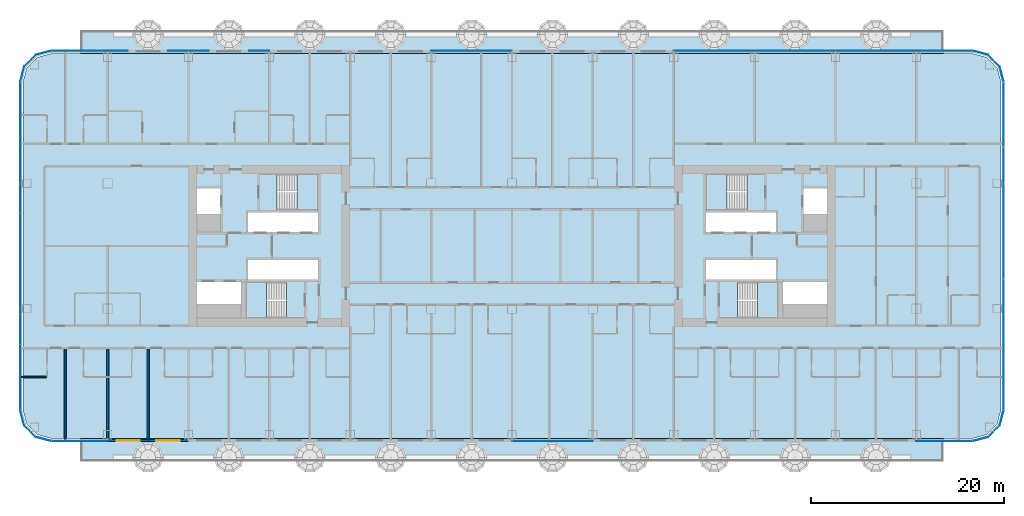
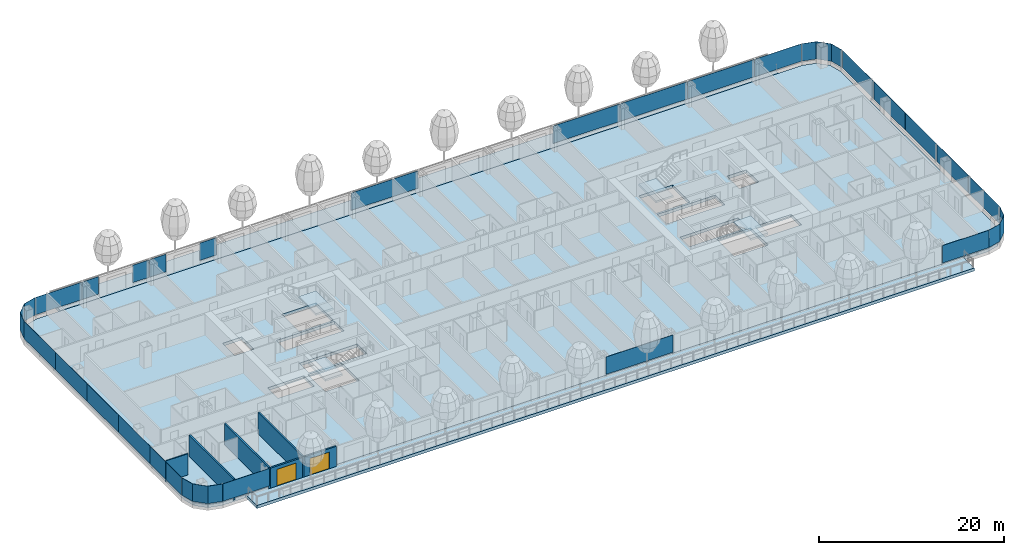
# One storey, part 12 of 37: 27 plates, 7 slabs, 6 walls, 2 doors, 2 openings, 12 elements without a shape of their own.
"""IFC4 building model written with IfcOpenShell, lengths in metres."""

from ifc_helpers import new_model, si_unit, direction, frame, frame_2d, origin, origin_2d, place, context, subcontext, project, spatial, polyline, rectangle, outline, extrude, material, layer, layer_set, type_object, element, fill, aggregate, save


model = new_model("IFC4")

# Units and contexts
model_context = context("Model", 3, precision=1e-05, world=origin(), true_north=direction((0.0, 1.0)))
body_context = subcontext(model_context, "Body", "Model", "MODEL_VIEW")
ifc_project = project(units=[si_unit("LENGTHUNIT", "METRE"), si_unit("AREAUNIT", "SQUARE_METRE"), si_unit("VOLUMEUNIT", "CUBIC_METRE"), si_unit("PLANEANGLEUNIT", "RADIAN"), si_unit("MASSUNIT", "GRAM", prefix="KILO")], contexts=[model_context])

# Site, building, storey
site_placement = place(None, origin())
site = spatial("IfcSite", under=ifc_project, at=site_placement, CompositionType="ELEMENT")
building_placement = place(site_placement, origin())
building = spatial("IfcBuilding", under=site, at=building_placement, Name="Hakoniwa Tower and Hamabe Station Hall", CompositionType="ELEMENT")
storey_placement = place(building_placement, frame((0.0, 0.0, 39.0)))
storey = spatial("IfcBuildingStorey", under=building, at=storey_placement, Name="L10", CompositionType="ELEMENT", Elevation=39.0)

# Slabs
ifc_material_1 = material(Name="Concrete C42", Category="concrete")
ifc_layer_1 = layer(ifc_material_1, 0.25)
ifc_layer_set_1 = layer_set([ifc_layer_1], Name="BALCONY SLAB 250")
slab_type_1 = type_object("IfcSlabType", Name="BALCONY SLAB 250", PredefinedType="FLOOR", material=ifc_layer_set_1)
slab_1_placement = place(storey_placement, frame((0.0, 0.0, -0.39990234375)))
element("IfcSlab", 1, at=slab_1_placement, inside=storey, type_object=slab_type_1, Name="Balcony slab L10 BAL-L10-N", PredefinedType="FLOOR", context=body_context, shape_type="SweptSolid", body=[
    extrude(outline(polyline([(-44.800048828125, 20.0), (44.800048828125, 20.0), (44.800048828125, 22.39990234375), (-44.800048828125, 22.39990234375), (-44.800048828125, 20.0)])), origin(), (0.0, 0.0, 1.0), 0.39990234375),
])
slab_2_placement = place(storey_placement, frame((0.0, 0.0, -0.39990234375)))
element("IfcSlab", 2, at=slab_2_placement, inside=storey, type_object=slab_type_1, Name="Balcony slab L10 BAL-L10-S", PredefinedType="FLOOR", context=body_context, shape_type="SweptSolid", body=[
    extrude(outline(polyline([(-44.800048828125, -22.39990234375), (44.800048828125, -22.39990234375), (44.800048828125, -20.0), (-44.800048828125, -20.0), (-44.800048828125, -22.39990234375)])), origin(), (0.0, 0.0, 1.0), 0.39990234375),
])

# Stair, slab
ifc_material_2 = material(Name="Concrete C40", Category="concrete")
stair_type = type_object("IfcStairType", Name="ESCAPE STAIR 1800", PredefinedType="HALF_TURN_STAIR", material=ifc_material_2)
stair_1_placement = place(storey_placement, origin())
stair_1 = element("IfcStair", 3, at=stair_1_placement, inside=storey, type_object=stair_type, Name="Escape stair ST-1 L10", PredefinedType="HALF_TURN_STAIR")
ifc_material_3 = material(Name="Concrete C40", Category="concrete")
ifc_layer_2 = layer(ifc_material_3, 0.25)
ifc_layer_set_2 = layer_set([ifc_layer_2], Name="CORE STAIR LANDING 250")
slab_type_2 = type_object("IfcSlabType", Name="CORE STAIR LANDING 250", PredefinedType="LANDING", material=ifc_layer_set_2)
slab_3_placement = place(storey_placement, frame((0.0, 0.0, 1.35009765625)))
slab_3 = element("IfcSlab", 4, at=slab_3_placement, type_object=slab_type_2, Name="ST-1 landing 1", PredefinedType="LANDING", context=body_context, shape_type="SweptSolid", body=[
    extrude(outline(polyline([(-22.320068359375, 3.75), (-20.14990234375, 3.75), (-20.14990234375, 7.5), (-22.320068359375, 7.5), (-22.320068359375, 3.75)])), origin(), (0.0, 0.0, 1.0), 0.25),
])
aggregate(stair_1, [slab_3])

stair_2_placement = place(storey_placement, origin())
stair_2 = element("IfcStair", 5, at=stair_2_placement, inside=storey, type_object=stair_type, Name="Escape stair ST-2 L10", PredefinedType="HALF_TURN_STAIR")
slab_4_placement = place(storey_placement, frame((0.0, 0.0, 1.35009765625)))
slab_4 = element("IfcSlab", 6, at=slab_4_placement, type_object=slab_type_2, Name="ST-2 landing 1", PredefinedType="LANDING", context=body_context, shape_type="SweptSolid", body=[
    extrude(outline(polyline([(-25.47998046875, -7.5), (-27.64990234375, -7.5), (-27.64990234375, -3.75), (-25.47998046875, -3.75), (-25.47998046875, -7.5)])), origin(), (0.0, 0.0, 1.0), 0.25),
])
aggregate(stair_2, [slab_4])

stair_3_placement = place(storey_placement, origin())
stair_3 = element("IfcStair", 7, at=stair_3_placement, inside=storey, type_object=stair_type, Name="Escape stair ST-3 L10", PredefinedType="HALF_TURN_STAIR")
slab_5_placement = place(storey_placement, frame((0.0, 0.0, 1.35009765625)))
slab_5 = element("IfcSlab", 8, at=slab_5_placement, type_object=slab_type_2, Name="ST-3 landing 1", PredefinedType="LANDING", context=body_context, shape_type="SweptSolid", body=[
    extrude(outline(polyline([(22.320068359375, 3.75), (20.14990234375, 3.75), (20.14990234375, 7.5), (22.320068359375, 7.5), (22.320068359375, 3.75)])), origin(), (0.0, 0.0, 1.0), 0.25),
])
aggregate(stair_3, [slab_5])

stair_4_placement = place(storey_placement, origin())
stair_4 = element("IfcStair", 9, at=stair_4_placement, inside=storey, type_object=stair_type, Name="Escape stair ST-4 L10", PredefinedType="HALF_TURN_STAIR")
slab_6_placement = place(storey_placement, frame((0.0, 0.0, 1.35009765625)))
slab_6 = element("IfcSlab", 10, at=slab_6_placement, type_object=slab_type_2, Name="ST-4 landing 1", PredefinedType="LANDING", context=body_context, shape_type="SweptSolid", body=[
    extrude(outline(polyline([(25.47998046875, -7.5), (27.64990234375, -7.5), (27.64990234375, -3.75), (25.47998046875, -3.75), (25.47998046875, -7.5)])), origin(), (0.0, 0.0, 1.0), 0.25),
])
aggregate(stair_4, [slab_6])

# Curtain wall, plates
ifc_material_4 = material(Name="Dark low-e laminated glass", Category="glass")
ifc_layer_3 = layer(ifc_material_4, 0.199951171875)
ifc_layer_set_3 = layer_set([ifc_layer_3], Name="CW-1 UNITISED GUEST")
curtain_wall_type = type_object("IfcCurtainWallType", Name="CW-1 UNITISED GUEST", PredefinedType="NOTDEFINED", material=ifc_layer_set_3)
curtain_wall_1_placement = place(storey_placement, origin())
curtain_wall_1 = element("IfcCurtainWall", 11, at=curtain_wall_1_placement, inside=storey, type_object=curtain_wall_type, Name="CW-1 curtain wall", PredefinedType="NOTDEFINED")
ifc_material_5 = material(Name="Dark low-e laminated glass", Category="glass")
ifc_layer_4 = layer(ifc_material_5, 0.028076171875)
ifc_layer_set_4 = layer_set([ifc_layer_4], Name="CW-1 GLASS UNIT")
plate_type = type_object("IfcPlateType", Name="CW-1 GLASS UNIT", PredefinedType="CURTAIN_PANEL", material=ifc_layer_set_4)
plate_1_placement = place(storey_placement, frame((51.0859375, -13.631591796875, 0.35009765625), z_axis=(0.0, 0.0, 1.0), x_axis=(0.0, 1.0, 0.0)))
plate_1 = element("IfcPlate", 12, at=plate_1_placement, type_object=plate_type, Name="CW-1 glass unit", PredefinedType="CURTAIN_PANEL", context=body_context, shape_type="SweptSolid", body=[
    extrude(rectangle(XDim=6.7958984375, YDim=0.028076171875, at=origin_2d()), origin(), (0.0, 0.0, 1.0), 2.300048828125),
])
plate_2_placement = place(storey_placement, frame((51.0859375, -6.81591796875, 0.35009765625), z_axis=(0.0, 0.0, 1.0), x_axis=(0.0, 1.0, 0.0)))
plate_2 = element("IfcPlate", 13, at=plate_2_placement, type_object=plate_type, Name="CW-1 glass unit", PredefinedType="CURTAIN_PANEL", context=body_context, shape_type="SweptSolid", body=[
    extrude(rectangle(XDim=6.7958984375, YDim=0.028076171875, at=origin_2d()), origin(), (0.0, 0.0, 1.0), 2.300048828125),
])
plate_3_placement = place(storey_placement, frame((51.0859375, 0.0, 0.35009765625), z_axis=(0.0, 0.0, 1.0), x_axis=(0.0, 1.0, 0.0)))
plate_3 = element("IfcPlate", 14, at=plate_3_placement, type_object=plate_type, Name="CW-1 glass unit", PredefinedType="CURTAIN_PANEL", context=body_context, shape_type="SweptSolid", body=[
    extrude(rectangle(XDim=6.7958984375, YDim=0.028076171875, at=origin_2d()), origin(), (0.0, 0.0, 1.0), 2.300048828125),
])
plate_4_placement = place(storey_placement, frame((51.0859375, 6.81591796875, 0.35009765625), z_axis=(0.0, 0.0, 1.0), x_axis=(0.0, 1.0, 0.0)))
plate_4 = element("IfcPlate", 15, at=plate_4_placement, type_object=plate_type, Name="CW-1 glass unit", PredefinedType="CURTAIN_PANEL", context=body_context, shape_type="SweptSolid", body=[
    extrude(rectangle(XDim=6.7958984375, YDim=0.028076171875, at=origin_2d()), origin(), (0.0, 0.0, 1.0), 2.300048828125),
])
plate_5_placement = place(storey_placement, frame((51.0859375, 13.631591796875, 0.35009765625), z_axis=(0.0, 0.0, 1.0), x_axis=(0.0, 1.0, 0.0)))
plate_5 = element("IfcPlate", 16, at=plate_5_placement, type_object=plate_type, Name="CW-1 glass unit", PredefinedType="CURTAIN_PANEL", context=body_context, shape_type="SweptSolid", body=[
    extrude(rectangle(XDim=6.7958984375, YDim=0.028076171875, at=origin_2d()), origin(), (0.0, 0.0, 1.0), 2.300048828125),
])
aggregate(curtain_wall_1, [plate_1, plate_2, plate_3, plate_4, plate_5])

# Curtain wall, plate
curtain_wall_2_placement = place(storey_placement, origin())
curtain_wall_2 = element("IfcCurtainWall", 17, at=curtain_wall_2_placement, inside=storey, type_object=curtain_wall_type, Name="CW-1 curtain wall", PredefinedType="NOTDEFINED")
plate_6_placement = place(storey_placement, frame((0.0, 0.0, 0.35009765625)))
plate_6 = element("IfcPlate", 18, at=plate_6_placement, type_object=plate_type, Name="CW-1 curved corner unit", PredefinedType="CURTAIN_PANEL", context=body_context, shape_type="SweptSolid", body=[
    extrude(outline(polyline([(51.089599609375, 17.078125), (50.6669921875, 18.6552734375), (49.455322265625, 19.866943359375), (47.878173828125, 20.28955078125), (47.870849609375, 20.2626953125), (49.44091796875, 19.842041015625), (50.641845703125, 18.640869140625), (51.0625, 17.07080078125), (51.089599609375, 17.078125)])), origin(), (0.0, 0.0, 1.0), 2.2998046875),
])
aggregate(curtain_wall_2, [plate_6])

# Curtain wall, plates
curtain_wall_3_placement = place(storey_placement, origin())
curtain_wall_3 = element("IfcCurtainWall", 19, at=curtain_wall_3_placement, inside=storey, type_object=curtain_wall_type, Name="CW-1 curtain wall", PredefinedType="NOTDEFINED")
plate_7_placement = place(storey_placement, frame((44.919677734375, 20.285888671875, 0.35009765625), z_axis=(0.0, 0.0, 1.0), x_axis=(-1.0, 0.0, 0.0)))
plate_7 = element("IfcPlate", 20, at=plate_7_placement, type_object=plate_type, Name="CW-1 glass unit", PredefinedType="CURTAIN_PANEL", context=body_context, shape_type="SweptSolid", body=[
    extrude(rectangle(XDim=5.819580078125, YDim=0.028076171875, at=origin_2d()), origin(), (0.0, 0.0, 1.0), 2.300048828125),
])
plate_8_placement = place(storey_placement, frame((37.800048828125, 20.285888671875, 0.35009765625), z_axis=(0.0, 0.0, 1.0), x_axis=(-1.0, 0.0, 0.0)))
plate_8 = element("IfcPlate", 21, at=plate_8_placement, type_object=plate_type, Name="CW-1 glass unit", PredefinedType="CURTAIN_PANEL", context=body_context, shape_type="SweptSolid", body=[
    extrude(rectangle(XDim=8.3798828125, YDim=0.028076171875, at=origin_2d()), origin(), (0.0, 0.0, 1.0), 2.300048828125),
])
plate_9_placement = place(storey_placement, frame((29.39990234375, 20.285888671875, 0.35009765625), z_axis=(0.0, 0.0, 1.0), x_axis=(-1.0, 0.0, 0.0)))
plate_9 = element("IfcPlate", 22, at=plate_9_placement, type_object=plate_type, Name="CW-1 glass unit", PredefinedType="CURTAIN_PANEL", context=body_context, shape_type="SweptSolid", body=[
    extrude(rectangle(XDim=8.3798828125, YDim=0.028076171875, at=origin_2d()), origin(), (0.0, 0.0, 1.0), 2.300048828125),
])
plate_10_placement = place(storey_placement, frame((21.0, 20.285888671875, 0.35009765625), z_axis=(0.0, 0.0, 1.0), x_axis=(-1.0, 0.0, 0.0)))
plate_10 = element("IfcPlate", 23, at=plate_10_placement, type_object=plate_type, Name="CW-1 glass unit", PredefinedType="CURTAIN_PANEL", context=body_context, shape_type="SweptSolid", body=[
    extrude(rectangle(XDim=8.3798828125, YDim=0.028076171875, at=origin_2d()), origin(), (0.0, 0.0, 1.0), 2.300048828125),
])
plate_11_placement = place(storey_placement, frame((-4.199951171875, 20.285888671875, 0.35009765625), z_axis=(0.0, 0.0, 1.0), x_axis=(-1.0, 0.0, 0.0)))
plate_11 = element("IfcPlate", 24, at=plate_11_placement, type_object=plate_type, Name="CW-1 glass unit", PredefinedType="CURTAIN_PANEL", context=body_context, shape_type="SweptSolid", body=[
    extrude(rectangle(XDim=8.3798828125, YDim=0.028076171875, at=origin_2d()), origin(), (0.0, 0.0, 1.0), 2.300048828125),
])
plate_12_placement = place(storey_placement, frame((-26.25, 20.285888671875, 0.35009765625), z_axis=(0.0, 0.0, 1.0), x_axis=(-1.0, 0.0, 0.0)))
plate_12 = element("IfcPlate", 25, at=plate_12_placement, type_object=plate_type, Name="CW-1 glass unit", PredefinedType="CURTAIN_PANEL", context=body_context, shape_type="SweptSolid", body=[
    extrude(rectangle(XDim=2.080078125, YDim=0.028076171875, at=origin_2d()), origin(), (0.0, 0.0, 1.0), 2.300048828125),
])
plate_13_placement = place(storey_placement, frame((-32.550048828125, 20.285888671875, 0.35009765625), z_axis=(0.0, 0.0, 1.0), x_axis=(-1.0, 0.0, 0.0)))
plate_13 = element("IfcPlate", 26, at=plate_13_placement, type_object=plate_type, Name="CW-1 glass unit", PredefinedType="CURTAIN_PANEL", context=body_context, shape_type="SweptSolid", body=[
    extrude(rectangle(XDim=2.080078125, YDim=0.028076171875, at=origin_2d()), origin(), (0.0, 0.0, 1.0), 2.300048828125),
])
plate_14_placement = place(storey_placement, frame((-34.64990234375, 20.285888671875, 0.35009765625), z_axis=(0.0, 0.0, 1.0), x_axis=(-1.0, 0.0, 0.0)))
plate_14 = element("IfcPlate", 27, at=plate_14_placement, type_object=plate_type, Name="CW-1 glass unit", PredefinedType="CURTAIN_PANEL", context=body_context, shape_type="SweptSolid", body=[
    extrude(rectangle(XDim=2.080078125, YDim=0.028076171875, at=origin_2d()), origin(), (0.0, 0.0, 1.0), 2.300048828125),
])
plate_15_placement = place(storey_placement, frame((-40.949951171875, 20.285888671875, 0.35009765625), z_axis=(0.0, 0.0, 1.0), x_axis=(-1.0, 0.0, 0.0)))
plate_15 = element("IfcPlate", 28, at=plate_15_placement, type_object=plate_type, Name="CW-1 glass unit", PredefinedType="CURTAIN_PANEL", context=body_context, shape_type="SweptSolid", body=[
    extrude(rectangle(XDim=2.080078125, YDim=0.028076171875, at=origin_2d()), origin(), (0.0, 0.0, 1.0), 2.300048828125),
])
plate_16_placement = place(storey_placement, frame((-44.919677734375, 20.285888671875, 0.35009765625), z_axis=(0.0, 0.0, 1.0), x_axis=(-1.0, 0.0, 0.0)))
plate_16 = element("IfcPlate", 29, at=plate_16_placement, type_object=plate_type, Name="CW-1 glass unit", PredefinedType="CURTAIN_PANEL", context=body_context, shape_type="SweptSolid", body=[
    extrude(rectangle(XDim=5.819580078125, YDim=0.028076171875, at=origin_2d()), origin(), (0.0, 0.0, 1.0), 2.300048828125),
])
aggregate(curtain_wall_3, [plate_7, plate_8, plate_9, plate_10, plate_11, plate_12, plate_13, plate_14, plate_15, plate_16])

# Curtain wall, plate
curtain_wall_4_placement = place(storey_placement, origin())
curtain_wall_4 = element("IfcCurtainWall", 30, at=curtain_wall_4_placement, inside=storey, type_object=curtain_wall_type, Name="CW-1 curtain wall", PredefinedType="NOTDEFINED")
plate_17_placement = place(storey_placement, frame((0.0, 0.0, 0.35009765625)))
plate_17 = element("IfcPlate", 31, at=plate_17_placement, type_object=plate_type, Name="CW-1 curved corner unit", PredefinedType="CURTAIN_PANEL", context=body_context, shape_type="SweptSolid", body=[
    extrude(outline(polyline([(-47.878173828125, 20.28955078125), (-49.455322265625, 19.866943359375), (-50.6669921875, 18.6552734375), (-51.089599609375, 17.078125), (-51.0625, 17.07080078125), (-50.641845703125, 18.640869140625), (-49.44091796875, 19.842041015625), (-47.870849609375, 20.2626953125), (-47.878173828125, 20.28955078125)])), origin(), (0.0, 0.0, 1.0), 2.2998046875),
])
aggregate(curtain_wall_4, [plate_17])

# Curtain wall, plates
curtain_wall_5_placement = place(storey_placement, origin())
curtain_wall_5 = element("IfcCurtainWall", 32, at=curtain_wall_5_placement, inside=storey, type_object=curtain_wall_type, Name="CW-1 curtain wall", PredefinedType="NOTDEFINED")
plate_18_placement = place(storey_placement, frame((-51.0859375, 13.631591796875, 0.35009765625), z_axis=(0.0, 0.0, 1.0), x_axis=(0.0, -1.0, 0.0)))
plate_18 = element("IfcPlate", 33, at=plate_18_placement, type_object=plate_type, Name="CW-1 glass unit", PredefinedType="CURTAIN_PANEL", context=body_context, shape_type="SweptSolid", body=[
    extrude(rectangle(XDim=6.7958984375, YDim=0.028076171875, at=origin_2d()), origin(), (0.0, 0.0, 1.0), 2.300048828125),
])
plate_19_placement = place(storey_placement, frame((-51.0859375, 6.81591796875, 0.35009765625), z_axis=(0.0, 0.0, 1.0), x_axis=(0.0, -1.0, 0.0)))
plate_19 = element("IfcPlate", 34, at=plate_19_placement, type_object=plate_type, Name="CW-1 glass unit", PredefinedType="CURTAIN_PANEL", context=body_context, shape_type="SweptSolid", body=[
    extrude(rectangle(XDim=6.7958984375, YDim=0.028076171875, at=origin_2d()), origin(), (0.0, 0.0, 1.0), 2.300048828125),
])
plate_20_placement = place(storey_placement, frame((-51.0859375, 0.0, 0.35009765625), z_axis=(0.0, 0.0, 1.0), x_axis=(0.0, -1.0, 0.0)))
plate_20 = element("IfcPlate", 35, at=plate_20_placement, type_object=plate_type, Name="CW-1 glass unit", PredefinedType="CURTAIN_PANEL", context=body_context, shape_type="SweptSolid", body=[
    extrude(rectangle(XDim=6.7958984375, YDim=0.028076171875, at=origin_2d()), origin(), (0.0, 0.0, 1.0), 2.300048828125),
])
plate_21_placement = place(storey_placement, frame((-51.0859375, -6.81591796875, 0.35009765625), z_axis=(0.0, 0.0, 1.0), x_axis=(0.0, -1.0, 0.0)))
plate_21 = element("IfcPlate", 36, at=plate_21_placement, type_object=plate_type, Name="CW-1 glass unit", PredefinedType="CURTAIN_PANEL", context=body_context, shape_type="SweptSolid", body=[
    extrude(rectangle(XDim=6.7958984375, YDim=0.028076171875, at=origin_2d()), origin(), (0.0, 0.0, 1.0), 2.300048828125),
])
plate_22_placement = place(storey_placement, frame((-51.0859375, -13.631591796875, 0.35009765625), z_axis=(0.0, 0.0, 1.0), x_axis=(0.0, -1.0, 0.0)))
plate_22 = element("IfcPlate", 37, at=plate_22_placement, type_object=plate_type, Name="CW-1 glass unit", PredefinedType="CURTAIN_PANEL", context=body_context, shape_type="SweptSolid", body=[
    extrude(rectangle(XDim=6.7958984375, YDim=0.028076171875, at=origin_2d()), origin(), (0.0, 0.0, 1.0), 2.300048828125),
])
aggregate(curtain_wall_5, [plate_18, plate_19, plate_20, plate_21, plate_22])

# Curtain wall, plate
curtain_wall_6_placement = place(storey_placement, origin())
curtain_wall_6 = element("IfcCurtainWall", 38, at=curtain_wall_6_placement, inside=storey, type_object=curtain_wall_type, Name="CW-1 curtain wall", PredefinedType="NOTDEFINED")
plate_23_placement = place(storey_placement, frame((0.0, 0.0, 0.35009765625)))
plate_23 = element("IfcPlate", 39, at=plate_23_placement, type_object=plate_type, Name="CW-1 curved corner unit", PredefinedType="CURTAIN_PANEL", context=body_context, shape_type="SweptSolid", body=[
    extrude(outline(polyline([(-51.089599609375, -17.078125), (-50.6669921875, -18.6552734375), (-49.455322265625, -19.866943359375), (-47.878173828125, -20.28955078125), (-47.870849609375, -20.2626953125), (-49.44091796875, -19.842041015625), (-50.641845703125, -18.640869140625), (-51.0625, -17.07080078125), (-51.089599609375, -17.078125)])), origin(), (0.0, 0.0, 1.0), 2.2998046875),
])
aggregate(curtain_wall_6, [plate_23])

# Curtain wall, plates
curtain_wall_7_placement = place(storey_placement, origin())
curtain_wall_7 = element("IfcCurtainWall", 40, at=curtain_wall_7_placement, inside=storey, type_object=curtain_wall_type, Name="CW-1 curtain wall", PredefinedType="NOTDEFINED")
plate_24_placement = place(storey_placement, frame((-44.919677734375, -20.285888671875, 0.35009765625), z_axis=(0.0, 0.0, 1.0), x_axis=(1.0, 0.0, 0.0)))
plate_24 = element("IfcPlate", 41, at=plate_24_placement, type_object=plate_type, Name="CW-1 glass unit", PredefinedType="CURTAIN_PANEL", context=body_context, shape_type="SweptSolid", body=[
    extrude(rectangle(XDim=5.819580078125, YDim=0.028076171875, at=origin_2d()), origin(), (0.0, 0.0, 1.0), 2.300048828125),
])
plate_25_placement = place(storey_placement, frame((4.199951171875, -20.285888671875, 0.35009765625), z_axis=(0.0, 0.0, 1.0), x_axis=(1.0, 0.0, 0.0)))
plate_25 = element("IfcPlate", 42, at=plate_25_placement, type_object=plate_type, Name="CW-1 glass unit", PredefinedType="CURTAIN_PANEL", context=body_context, shape_type="SweptSolid", body=[
    extrude(rectangle(XDim=8.3798828125, YDim=0.028076171875, at=origin_2d()), origin(), (0.0, 0.0, 1.0), 2.300048828125),
])
plate_26_placement = place(storey_placement, frame((44.919677734375, -20.285888671875, 0.35009765625), z_axis=(0.0, 0.0, 1.0), x_axis=(1.0, 0.0, 0.0)))
plate_26 = element("IfcPlate", 43, at=plate_26_placement, type_object=plate_type, Name="CW-1 glass unit", PredefinedType="CURTAIN_PANEL", context=body_context, shape_type="SweptSolid", body=[
    extrude(rectangle(XDim=5.819580078125, YDim=0.028076171875, at=origin_2d()), origin(), (0.0, 0.0, 1.0), 2.300048828125),
])

# Curtain wall, plate
curtain_wall_8_placement = place(storey_placement, origin())
curtain_wall_8 = element("IfcCurtainWall", 44, at=curtain_wall_8_placement, inside=storey, type_object=curtain_wall_type, Name="CW-1 curtain wall", PredefinedType="NOTDEFINED")
plate_27_placement = place(storey_placement, frame((0.0, 0.0, 0.35009765625)))
plate_27 = element("IfcPlate", 45, at=plate_27_placement, type_object=plate_type, Name="CW-1 curved corner unit", PredefinedType="CURTAIN_PANEL", context=body_context, shape_type="SweptSolid", body=[
    extrude(outline(polyline([(47.878173828125, -20.28955078125), (49.455322265625, -19.866943359375), (50.6669921875, -18.6552734375), (51.089599609375, -17.078125), (51.0625, -17.07080078125), (50.641845703125, -18.640869140625), (49.44091796875, -19.842041015625), (47.870849609375, -20.2626953125), (47.878173828125, -20.28955078125)])), origin(), (0.0, 0.0, 1.0), 2.2998046875),
])
aggregate(curtain_wall_8, [plate_27])

# Slab
ifc_material_6 = material(Name="Concrete C42", Category="concrete")
ifc_layer_5 = layer(ifc_material_6, 0.39990234375)
ifc_layer_set_5 = layer_set([ifc_layer_5], Name="PT FLAT PLATE 400")
slab_type_3 = type_object("IfcSlabType", Name="PT FLAT PLATE 400", PredefinedType="FLOOR", material=ifc_layer_set_5)
slab_7_placement = place(storey_placement, frame((0.0, 0.0, -0.39990234375)))
element("IfcSlab", 46, at=slab_7_placement, inside=storey, type_object=slab_type_3, Name="Floor slab L10", PredefinedType="FLOOR", context=body_context, shape_type="SweptSolid", body=[
    extrude(outline(polyline([(50.800048828125, -17.0), (50.800048828125, 17.0), (50.398193359375, 18.5), (49.300048828125, 19.59814453125), (47.800048828125, 20.0), (-47.800048828125, 20.0), (-49.300048828125, 19.59814453125), (-50.398193359375, 18.5), (-50.800048828125, 17.0), (-50.800048828125, -17.0), (-50.398193359375, -18.5), (-49.300048828125, -19.59814453125), (-47.800048828125, -20.0), (47.800048828125, -20.0), (49.300048828125, -19.59814453125), (50.398193359375, -18.5), (50.800048828125, -17.0)]), holes=[polyline([(-27.39990234375, 1.449951171875), (-27.39990234375, 3.5), (-20.14990234375, 3.5), (-20.14990234375, 1.449951171875), (-27.39990234375, 1.449951171875)]), polyline([(-27.39990234375, -3.5), (-27.39990234375, -1.449951171875), (-20.14990234375, -1.449951171875), (-20.14990234375, -3.5), (-27.39990234375, -3.5)]), polyline([(-32.699951171875, 3.300048828125), (-32.699951171875, 5.949951171875), (-30.300048828125, 5.949951171875), (-30.300048828125, 3.300048828125), (-32.699951171875, 3.300048828125)]), polyline([(-32.699951171875, -6.0), (-32.699951171875, -3.75), (-28.14990234375, -3.75), (-28.14990234375, -6.0), (-32.699951171875, -6.0)]), polyline([(-24.389892578125, 3.75), (-24.389892578125, 7.5), (-20.14990234375, 7.5), (-20.14990234375, 3.75), (-24.389892578125, 3.75)]), polyline([(-27.64990234375, -7.5), (-27.64990234375, -3.75), (-23.409912109375, -3.75), (-23.409912109375, -7.5), (-27.64990234375, -7.5)]), polyline([(20.14990234375, 1.449951171875), (20.14990234375, 3.5), (27.39990234375, 3.5), (27.39990234375, 1.449951171875), (20.14990234375, 1.449951171875)]), polyline([(20.14990234375, -3.5), (20.14990234375, -1.449951171875), (27.39990234375, -1.449951171875), (27.39990234375, -3.5), (20.14990234375, -3.5)]), polyline([(30.300048828125, 3.300048828125), (30.300048828125, 5.949951171875), (32.699951171875, 5.949951171875), (32.699951171875, 3.300048828125), (30.300048828125, 3.300048828125)]), polyline([(28.14990234375, -6.0), (28.14990234375, -3.75), (32.699951171875, -3.75), (32.699951171875, -6.0), (28.14990234375, -6.0)]), polyline([(20.14990234375, 3.75), (20.14990234375, 7.5), (24.389892578125, 7.5), (24.389892578125, 3.75), (20.14990234375, 3.75)]), polyline([(23.409912109375, -7.5), (23.409912109375, -3.75), (27.64990234375, -3.75), (27.64990234375, -7.5), (23.409912109375, -7.5)])]), origin(), (0.0, 0.0, 1.0), 0.39990234375),
])

# Wall
ifc_material_7 = material(Name="Gypsum board partition", Category="gypsum")
ifc_layer_6 = layer(ifc_material_7, 0.125)
ifc_layer_set_6 = layer_set([ifc_layer_6], Name="Bathroom Partition 125")
wall_type_1 = type_object("IfcWallType", Name="Bathroom Partition 125", PredefinedType="PARTITIONING", material=ifc_layer_set_6)
wall_1_placement = place(storey_placement, frame((-51.10009765625, -13.60009765625, 0.0), z_axis=(0.0, 0.0, 1.0), x_axis=(1.0, 0.0, 0.0)))
element("IfcWall", 47, at=wall_1_placement, inside=storey, type_object=wall_type_1, Name="GW-L10-001", PredefinedType="PARTITIONING", context=body_context, shape_type="SweptSolid", body=[
    extrude(rectangle(XDim=2.737548828125, YDim=0.125, at=frame_2d((1.36865234375, 0.0))), origin(), (0.0, 0.0, 1.0), 2.800048828125),
])

# Wall, opening, door
ifc_material_8 = material(Name="Dark glass-faced aluminium panel", Category="aluminium")
ifc_layer_7 = layer(ifc_material_8, 0.199951171875)
ifc_layer_set_7 = layer_set([ifc_layer_7], Name="DOOR BAY WALL")
wall_type_2 = type_object("IfcWallType", Name="DOOR BAY WALL", PredefinedType="NOTDEFINED", material=ifc_layer_set_7)
wall_2_placement = place(storey_placement, frame((-41.97998046875, -20.199951171875, 0.0), z_axis=(0.0, 0.0, 1.0), x_axis=(1.0, 0.0, 0.0)))
wall_2 = element("IfcWall", 48, at=wall_2_placement, type_object=wall_type_2, Name="Door bay wall", PredefinedType="NOTDEFINED", context=body_context, shape_type="SweptSolid", body=[
    extrude(rectangle(XDim=4.219970703125, YDim=0.199951171875, at=frame_2d((2.10986328125, 0.0))), origin(), (0.0, 0.0, 1.0), 2.64990234375),
])
opening_1_placement = place(wall_2_placement, frame((0.909912109375, 0.0, 0.0)))
opening_1 = element("IfcOpeningElement", 49, at=opening_1_placement, cuts=wall_2, Name="Opening BD-S07-23", PredefinedType="OPENING", context=body_context, shape_type="SweptSolid", body=[
    extrude(rectangle(XDim=2.39990234375, YDim=2.199951171875, at=frame_2d((1.199951171875, 1.10009765625))), frame((0.0, 0.10986328125, 0.0), z_axis=(0.0, -1.0, 0.0), x_axis=(1.0, 0.0, 0.0)), (0.0, 0.0, 1.0), 0.219970703125),
])
ifc_material_9 = material(Name="Dark low-e laminated glass", Category="glass")
door_type = type_object("IfcDoorType", Name="BALCONY SLIDING DOOR 2400X2200", OperationType="SLIDING_TO_LEFT", PredefinedType="DOOR", material=ifc_material_9)
door_1_placement = place(opening_1_placement, frame((2.39990234375, 0.0, 0.0), z_axis=(0.0, 0.0, 1.0), x_axis=(-1.0, 0.0, 0.0)))
door_1 = element("IfcDoor", 50, at=door_1_placement, inside=storey, type_object=door_type, Name="Balcony sliding door", OperationType="SLIDING_TO_LEFT", OverallHeight=2.199951171875, OverallWidth=2.39990234375, PredefinedType="DOOR", context=body_context, shape_type="SweptSolid", body=[
    extrude(rectangle(XDim=2.39990234375, YDim=2.199951171875, at=frame_2d((1.199951171875, 1.10009765625))), frame((0.0, 0.02490234375, 0.0), z_axis=(0.0, -1.0, 0.0), x_axis=(1.0, 0.0, 0.0)), (0.0, 0.0, 1.0), 0.050048828125),
])
fill(opening_1, door_1)

wall_3_placement = place(storey_placement, frame((-37.840087890625, -20.199951171875, 0.0), z_axis=(0.0, 0.0, 1.0), x_axis=(1.0, 0.0, 0.0)))
wall_3 = element("IfcWall", 51, at=wall_3_placement, type_object=wall_type_2, Name="Door bay wall", PredefinedType="NOTDEFINED", context=body_context, shape_type="SweptSolid", body=[
    extrude(rectangle(XDim=4.219970703125, YDim=0.199951171875, at=frame_2d((2.10986328125, 0.0))), origin(), (0.0, 0.0, 1.0), 2.64990234375),
])
opening_2_placement = place(wall_3_placement, frame((0.909912109375, 0.0, 0.0)))
opening_2 = element("IfcOpeningElement", 52, at=opening_2_placement, cuts=wall_3, Name="Opening BD-S07-24", PredefinedType="OPENING", context=body_context, shape_type="SweptSolid", body=[
    extrude(rectangle(XDim=2.39990234375, YDim=2.199951171875, at=frame_2d((1.199951171875, 1.10009765625))), frame((0.0, 0.10986328125, 0.0), z_axis=(0.0, -1.0, 0.0), x_axis=(1.0, 0.0, 0.0)), (0.0, 0.0, 1.0), 0.219970703125),
])
door_2_placement = place(opening_2_placement, frame((2.39990234375, 0.0, 0.0), z_axis=(0.0, 0.0, 1.0), x_axis=(-1.0, 0.0, 0.0)))
door_2 = element("IfcDoor", 53, at=door_2_placement, inside=storey, type_object=door_type, Name="Balcony sliding door", OperationType="SLIDING_TO_LEFT", OverallHeight=2.199951171875, OverallWidth=2.39990234375, PredefinedType="DOOR", context=body_context, shape_type="SweptSolid", body=[
    extrude(rectangle(XDim=2.39990234375, YDim=2.199951171875, at=frame_2d((1.199951171875, 1.10009765625))), frame((0.0, 0.02490234375, 0.0), z_axis=(0.0, -1.0, 0.0), x_axis=(1.0, 0.0, 0.0)), (0.0, 0.0, 1.0), 0.050048828125),
])
fill(opening_2, door_2)

aggregate(curtain_wall_7, [plate_24, plate_25, plate_26, wall_2, wall_3])

# Walls
ifc_material_10 = material(Name="Fire-rated gypsum board partition", Category="gypsum")
ifc_layer_8 = layer(ifc_material_10, 0.199951171875)
ifc_layer_set_8 = layer_set([ifc_layer_8], Name="Party Wall 200")
wall_type_3 = type_object("IfcWallType", Name="Party Wall 200", PredefinedType="PARTITIONING", material=ifc_layer_set_8)
for number, where, z_axis, x_axis, name in (
    (54, (-46.39990234375, -20.300048828125, 0.0), (0.0, 0.0, 1.0), (0.0, 1.0, 0.0), "GW-L10-049"),
    (55, (-42.0, -20.300048828125, 0.0), (0.0, 0.0, 1.0), (0.0, 1.0, 0.0), "GW-L10-054"),
    (56, (-37.800048828125, -20.300048828125, 0.0), (0.0, 0.0, 1.0), (0.0, 1.0, 0.0), "GW-L10-060"),
):
    element("IfcWall", number, at=place(storey_placement, frame(where, z_axis=z_axis, x_axis=x_axis)), inside=storey, type_object=wall_type_3, Name=name, PredefinedType="PARTITIONING", context=body_context, shape_type="SweptSolid", body=[
        extrude(rectangle(XDim=9.60009765625, YDim=0.199951171875, at=frame_2d((4.800048828125, 0.0))), origin(), (0.0, 0.0, 1.0), 2.800048828125),
    ])

save(model, "model.ifc")
